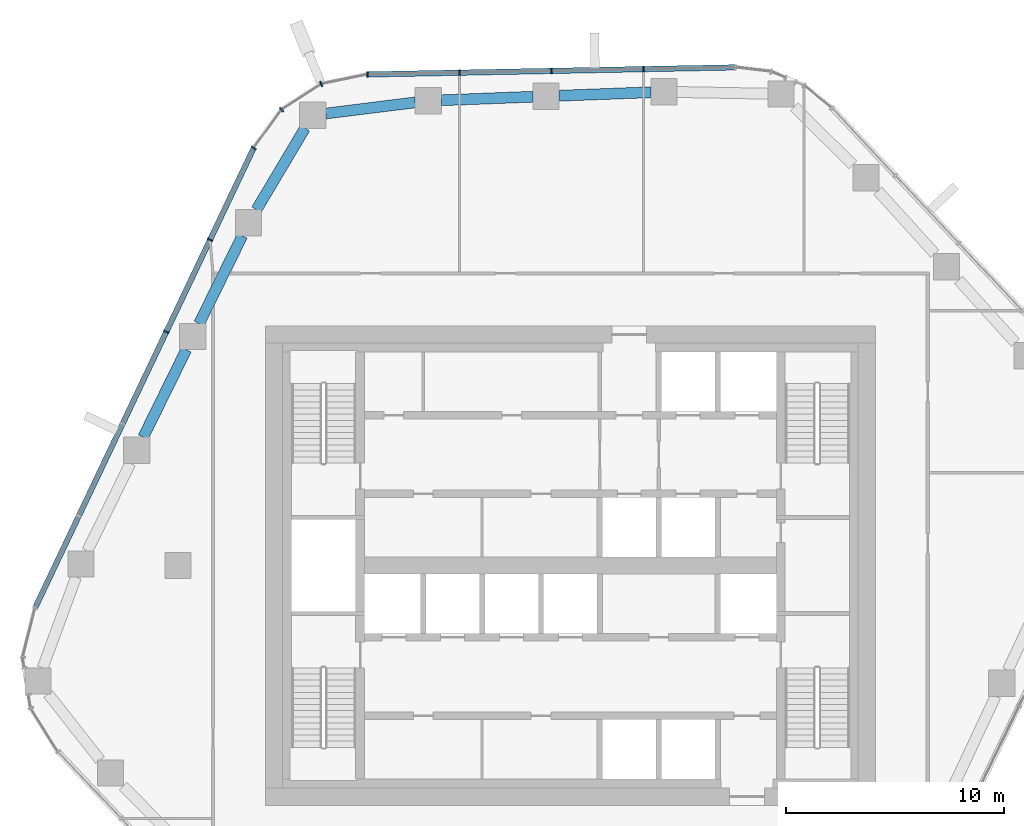
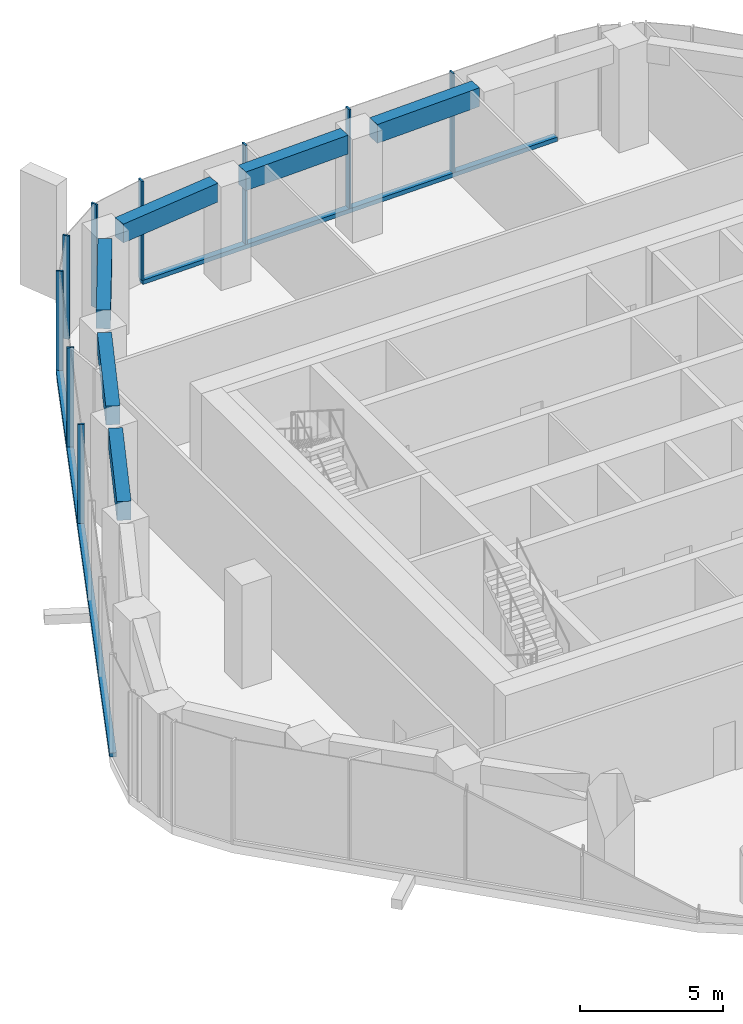
# One storey, part 4 of 16: 11 members, 6 beams, 3 elements without a shape of their own.
"""IFC4 building model written with IfcOpenShell, lengths in metres."""

from ifc_helpers import new_model, si_unit, direction, frame, origin, origin_2d, place, context, subcontext, project, spatial, rectangle, extrude, material, layer, layer_set, material_profile, profile_set, type_object, element, aggregate, save


model = new_model("IFC4")

# Units and contexts
model_context = context("Model", 3, precision=1e-05, world=origin(), true_north=direction((0.0, 1.0)))
body_context = subcontext(model_context, "Body", "Model", "MODEL_VIEW")
ifc_project = project(units=[si_unit("LENGTHUNIT", "METRE"), si_unit("AREAUNIT", "SQUARE_METRE"), si_unit("VOLUMEUNIT", "CUBIC_METRE"), si_unit("PLANEANGLEUNIT", "RADIAN"), si_unit("MASSUNIT", "GRAM", prefix="KILO")], contexts=[model_context])

# Site, building, storey
site_placement = place(None, origin())
site = spatial("IfcSite", under=ifc_project, at=site_placement, CompositionType="ELEMENT")
building_placement = place(site_placement, origin())
building = spatial("IfcBuilding", under=site, at=building_placement, Name="Dongbaek Canopy Tower", CompositionType="ELEMENT")
storey_placement = place(building_placement, frame((0.0, 0.0, 215.60009765625)))
storey = spatial("IfcBuildingStorey", under=building, at=storey_placement, Name="L45", CompositionType="ELEMENT", Elevation=215.60009765625)

# Curtain wall, members
ifc_material_1 = material(Name="Aluminium 6063-T6 pale anodised", Category="aluminium")
ifc_layer = layer(ifc_material_1, 0.25)
ifc_layer_set = layer_set([ifc_layer], Name="CW-4 sky-lobby curtain wall")
curtain_wall_type = type_object("IfcCurtainWallType", Name="CW-4 sky-lobby curtain wall", PredefinedType="NOTDEFINED", material=ifc_layer_set)
curtain_wall_1_placement = place(storey_placement, origin())
curtain_wall_1 = element("IfcCurtainWall", 1, at=curtain_wall_1_placement, inside=storey, type_object=curtain_wall_type, Name="CW-4 curtain wall F1.1", PredefinedType="NOTDEFINED")
ifc_material_2 = material(Name="Aluminium 6063-T6 pale anodised", Category="aluminium")
ifc_material_profile_1 = material_profile(ifc_material_2, rectangle(XDim=0.25, YDim=0.070068359375, at=origin_2d()), Name="CW-4 mullion 70 x 250")
ifc_profile_set_1 = profile_set([ifc_material_profile_1], Name="Aluminium 6063-T6 pale anodised")
member_type_1 = type_object("IfcMemberType", Name="CW-4 mullion 70 x 250", PredefinedType="MULLION", material=ifc_profile_set_1)
member_1_placement = place(storey_placement, frame((3.357421875, 22.77490234375, 0.179931640625), z_axis=(0.0, 0.0, 1.0), x_axis=(-0.019269926161, 0.999814317734, 0.0)))
member_1 = element("IfcMember", 2, at=member_1_placement, type_object=member_type_1, Name="CW-4 mullion F1.1.2", PredefinedType="MULLION", context=body_context, shape_type="SweptSolid", body=[
    extrude(rectangle(XDim=0.25, YDim=0.070068359375, at=origin_2d()), origin(), (0.0, 0.0, 1.0), 4.219970703125),
])
member_2_placement = place(storey_placement, frame((-0.865966796875, 22.693603515625, 0.179931640625), z_axis=(0.0, 0.0, 1.0), x_axis=(-0.019269926161, 0.999814317734, 0.0)))
member_2 = element("IfcMember", 3, at=member_2_placement, type_object=member_type_1, Name="CW-4 mullion F1.1.3", PredefinedType="MULLION", context=body_context, shape_type="SweptSolid", body=[
    extrude(rectangle(XDim=0.25, YDim=0.070068359375, at=origin_2d()), origin(), (0.0, 0.0, 1.0), 4.219970703125),
])
member_3_placement = place(storey_placement, frame((-5.08935546875, 22.612060546875, 0.179931640625), z_axis=(0.0, 0.0, 1.0), x_axis=(-0.019269926161, 0.999814317734, 0.0)))
member_3 = element("IfcMember", 4, at=member_3_placement, type_object=member_type_1, Name="CW-4 mullion F1.1.4", PredefinedType="MULLION", context=body_context, shape_type="SweptSolid", body=[
    extrude(rectangle(XDim=0.25, YDim=0.070068359375, at=origin_2d()), origin(), (0.0, 0.0, 1.0), 4.219970703125),
])
member_4_placement = place(storey_placement, frame((-9.303466796875, 22.53076171875, 0.179931640625), z_axis=(0.0, 0.0, 1.0), x_axis=(-0.019269926161, 0.999814317734, 0.0)))
member_4 = element("IfcMember", 5, at=member_4_placement, type_object=member_type_1, Name="CW-4 mullion F1.1.5", PredefinedType="MULLION", context=body_context, shape_type="SweptSolid", body=[
    extrude(rectangle(XDim=0.25, YDim=0.070068359375, at=origin_2d()), origin(), (0.0, 0.0, 1.0), 4.219970703125),
])

curtain_wall_2_placement = place(storey_placement, origin())
curtain_wall_2 = element("IfcCurtainWall", 6, at=curtain_wall_2_placement, inside=storey, type_object=curtain_wall_type, Name="CW-4 curtain wall K2.1", PredefinedType="NOTDEFINED")
member_5_placement = place(storey_placement, frame((-11.433349609375, 22.090576171875, 0.0), z_axis=(0.0, 0.0, 1.0), x_axis=(-0.378812481501, 0.92547344849, 0.0)))
member_5 = element("IfcMember", 7, at=member_5_placement, type_object=member_type_1, Name="CW-4 mullion K2.1.2", PredefinedType="MULLION", context=body_context, shape_type="SweptSolid", body=[
    extrude(rectangle(XDim=0.25, YDim=0.070068359375, at=origin_2d()), origin(), (0.0, 0.0, 1.0), 4.39990234375),
])
member_6_placement = place(storey_placement, frame((-13.2529296875, 20.916259765625, 0.0), z_axis=(0.0, 0.0, 1.0), x_axis=(-0.687292093978, 0.726381151707, 0.0)))
member_6 = element("IfcMember", 8, at=member_6_placement, type_object=member_type_1, Name="CW-4 mullion K2.1.3", PredefinedType="MULLION", context=body_context, shape_type="SweptSolid", body=[
    extrude(rectangle(XDim=0.25, YDim=0.070068359375, at=origin_2d()), origin(), (0.0, 0.0, 1.0), 4.39990234375),
])
member_7_placement = place(storey_placement, frame((-14.531494140625, 19.15673828125, 0.0), z_axis=(0.0, 0.0, 1.0), x_axis=(-0.808956774717, 0.587868128613, 0.0)))
member_7 = element("IfcMember", 9, at=member_7_placement, type_object=member_type_1, Name="CW-4 mullion K2.1.4", PredefinedType="MULLION", context=body_context, shape_type="SweptSolid", body=[
    extrude(rectangle(XDim=0.25, YDim=0.070068359375, at=origin_2d()), origin(), (0.0, 0.0, 1.0), 4.39990234375),
])
aggregate(curtain_wall_2, [member_5, member_6, member_7])

curtain_wall_3_placement = place(storey_placement, origin())
curtain_wall_3 = element("IfcCurtainWall", 10, at=curtain_wall_3_placement, inside=storey, type_object=curtain_wall_type, Name="CW-4 curtain wall F2.1", PredefinedType="NOTDEFINED")
member_8_placement = place(storey_placement, frame((-16.53466796875, 14.943359375, 0.179931640625), z_axis=(0.0, 0.0, 1.0), x_axis=(-0.90312650955, 0.429374554146, 0.0)))
member_8 = element("IfcMember", 11, at=member_8_placement, type_object=member_type_1, Name="CW-4 mullion F2.1.2", PredefinedType="MULLION", context=body_context, shape_type="SweptSolid", body=[
    extrude(rectangle(XDim=0.25, YDim=0.070068359375, at=origin_2d()), origin(), (0.0, 0.0, 1.0), 4.219970703125),
])
member_9_placement = place(storey_placement, frame((-18.541748046875, 10.7216796875, 0.179931640625), z_axis=(0.0, 0.0, 1.0), x_axis=(-0.90312650955, 0.429374554146, 0.0)))
member_9 = element("IfcMember", 12, at=member_9_placement, type_object=member_type_1, Name="CW-4 mullion F2.1.3", PredefinedType="MULLION", context=body_context, shape_type="SweptSolid", body=[
    extrude(rectangle(XDim=0.25, YDim=0.070068359375, at=origin_2d()), origin(), (0.0, 0.0, 1.0), 4.219970703125),
])

# Member
ifc_material_3 = material(Name="Aluminium 6063-T6 pale anodised", Category="aluminium")
ifc_material_profile_2 = material_profile(ifc_material_3, rectangle(XDim=0.25, YDim=0.179931640625, at=origin_2d()), Name="CW-4 transom 180 x 250")
ifc_profile_set_2 = profile_set([ifc_material_profile_2], Name="Aluminium 6063-T6 pale anodised")
member_type_2 = type_object("IfcMemberType", Name="CW-4 transom 180 x 250", PredefinedType="USERDEFINED", material=ifc_profile_set_2)
member_10_placement = place(storey_placement, frame((7.573974609375, 22.856201171875, 0.08984375), z_axis=(-0.999814144207, -0.019278927444, 0.0), x_axis=(0.019278927444, -0.999814144207, 0.0)))
member_10 = element("IfcMember", 13, at=member_10_placement, type_object=member_type_2, Name="CW-4 transom F1.1.1", ObjectType="TRANSOM", PredefinedType="USERDEFINED", context=body_context, shape_type="SweptSolid", body=[
    extrude(rectangle(XDim=0.25, YDim=0.179931640625, at=origin_2d()), origin(), (0.0, 0.0, 1.0), 16.880615234375),
])

aggregate(curtain_wall_1, [member_1, member_2, member_3, member_4, member_10])

member_11_placement = place(storey_placement, frame((-14.531494140625, 19.15673828125, 0.08984375), z_axis=(-0.429370251406, -0.903128555195, 0.0), x_axis=(0.903128555195, -0.429370251406, 0.0)))
member_11 = element("IfcMember", 14, at=member_11_placement, type_object=member_type_2, Name="CW-4 transom F2.1.1", ObjectType="TRANSOM", PredefinedType="USERDEFINED", context=body_context, shape_type="SweptSolid", body=[
    extrude(rectangle(XDim=0.25, YDim=0.179931640625, at=origin_2d()), origin(), (0.0, 0.0, 1.0), 23.353515625),
])

aggregate(curtain_wall_3, [member_8, member_9, member_11])

# Beams
ifc_material_4 = material(Name="Concrete C70", Category="concrete")
ifc_material_profile_3 = material_profile(ifc_material_4, rectangle(XDim=0.5, YDim=0.800048828125, at=origin_2d()), Name="RC EDGE BEAM 500x800 C70")
ifc_profile_set_3 = profile_set([ifc_material_profile_3], Name="Concrete C70")
beam_type = type_object("IfcBeamType", Name="RC EDGE BEAM 500x800 C70", PredefinedType="BEAM", material=ifc_profile_set_3)
beam_1_placement = place(storey_placement, frame((-19.6005859375, 5.886962890625, 4.0), z_axis=(0.441534821152, 0.897244114893, 0.0), x_axis=(-0.897244114893, 0.441534821152, 0.0)))
element("IfcBeam", 15, at=beam_1_placement, inside=storey, type_object=beam_type, Name="EDGEBEAM:L45:10", PredefinedType="BEAM", context=body_context, shape_type="SweptSolid", body=[
    extrude(rectangle(XDim=0.5, YDim=0.800048828125, at=origin_2d()), origin(), (0.0, 0.0, 1.0), 4.478271484375),
])
beam_2_placement = place(storey_placement, frame((-17.032958984375, 11.10498046875, 4.0), z_axis=(0.441228982876, 0.89739455351, 0.0), x_axis=(-0.89739455351, 0.441228982876, 0.0)))
element("IfcBeam", 16, at=beam_2_placement, inside=storey, type_object=beam_type, Name="EDGEBEAM:L45:11", PredefinedType="BEAM", context=body_context, shape_type="SweptSolid", body=[
    extrude(rectangle(XDim=0.5, YDim=0.800048828125, at=origin_2d()), origin(), (0.0, 0.0, 1.0), 4.478515625),
])
beam_3_placement = place(storey_placement, frame((-14.40478515625, 16.323974609375, 4.0), z_axis=(0.51151247975, 0.859275848061, 0.0), x_axis=(-0.859275848061, 0.51151247975, 0.0)))
element("IfcBeam", 17, at=beam_3_placement, inside=storey, type_object=beam_type, Name="EDGEBEAM:L45:12", PredefinedType="BEAM", context=body_context, shape_type="SweptSolid", body=[
    extrude(rectangle(XDim=0.5, YDim=0.800048828125, at=origin_2d()), origin(), (0.0, 0.0, 1.0), 4.34912109375),
])
beam_4_placement = place(storey_placement, frame((-11.222900390625, 20.73583984375, 4.0), z_axis=(0.992289687294, 0.123940213368, 0.0), x_axis=(-0.123940213368, 0.992289687294, 0.0)))
element("IfcBeam", 18, at=beam_4_placement, inside=storey, type_object=beam_type, Name="EDGEBEAM:L45:13", PredefinedType="BEAM", context=body_context, shape_type="SweptSolid", body=[
    extrude(rectangle(XDim=0.5, YDim=0.800048828125, at=origin_2d()), origin(), (0.0, 0.0, 1.0), 4.1328125),
])
beam_5_placement = place(storey_placement, frame((-5.922119140625, 21.345947265625, 4.0), z_axis=(0.999268092878, 0.038252824158, 0.0), x_axis=(-0.038252824158, 0.999268092878, 0.0)))
element("IfcBeam", 19, at=beam_5_placement, inside=storey, type_object=beam_type, Name="EDGEBEAM:L45:14", PredefinedType="BEAM", context=body_context, shape_type="SweptSolid", body=[
    extrude(rectangle(XDim=0.5, YDim=0.800048828125, at=origin_2d()), origin(), (0.0, 0.0, 1.0), 4.21240234375),
])
beam_6_placement = place(storey_placement, frame((-0.512939453125, 21.552978515625, 4.0), z_axis=(0.999276508887, 0.0380323387, 0.0), x_axis=(-0.0380323387, 0.999276508887, 0.0)))
element("IfcBeam", 20, at=beam_6_placement, inside=storey, type_object=beam_type, Name="EDGEBEAM:L45:15", PredefinedType="BEAM", context=body_context, shape_type="SweptSolid", body=[
    extrude(rectangle(XDim=0.5, YDim=0.800048828125, at=origin_2d()), origin(), (0.0, 0.0, 1.0), 4.2109375),
])

save(model, "model.ifc")
